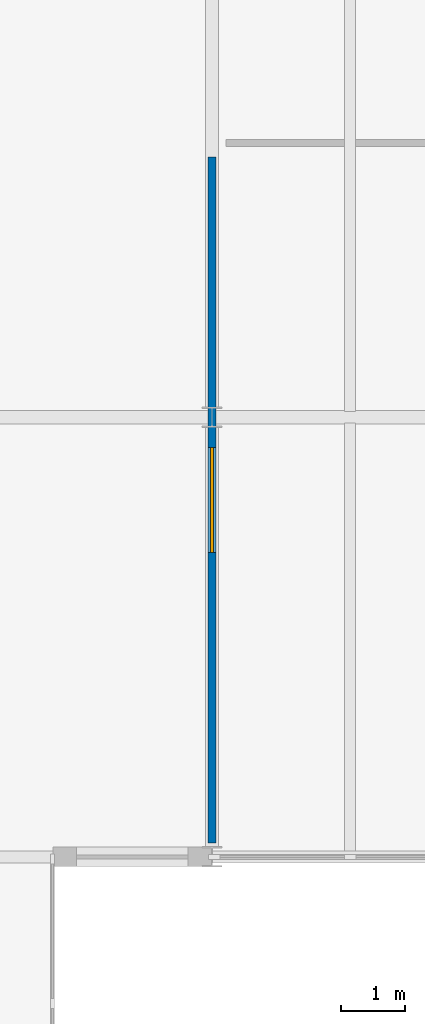
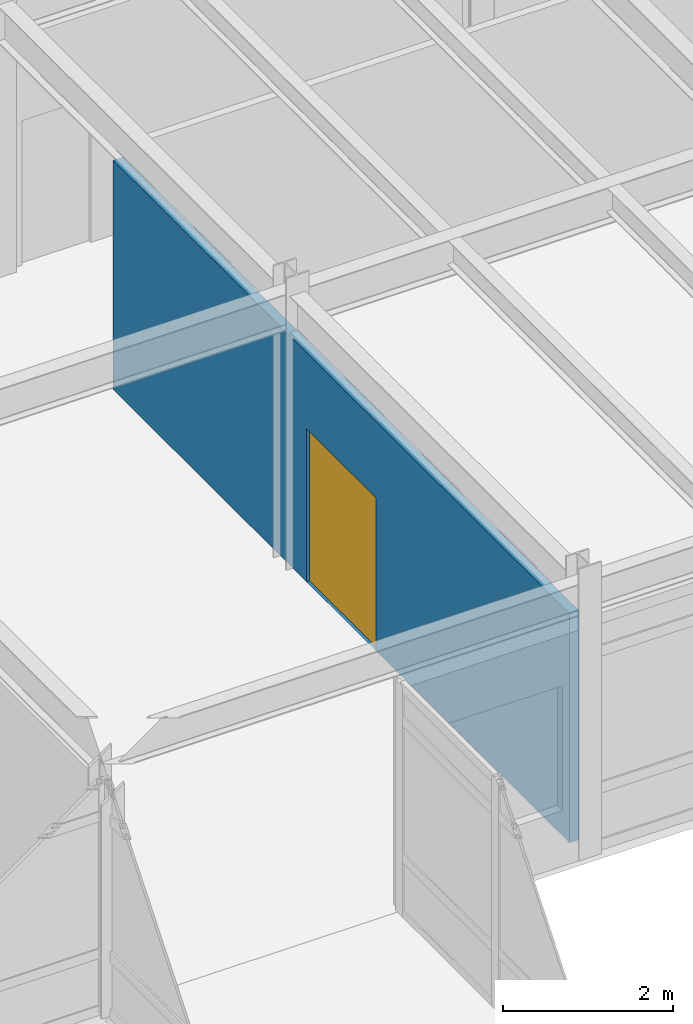
# One storey, part 132 of 144: 1 door, 1 wall, 1 opening.
"""IFC4 building model written with IfcOpenShell, lengths in metres."""

from ifc_helpers import new_model, si_unit, direction, frame, frame_2d, origin, place, context, subcontext, project, spatial, rectangle, extrude, material, layer, layer_set, type_object, element, fill, save


model = new_model("IFC4")

# Units and contexts
model_context = context("Model", 3, precision=1e-05, world=origin(), true_north=direction((0.0, 1.0)))
body_context = subcontext(model_context, "Body", "Model", "MODEL_VIEW")
ifc_project = project(units=[si_unit("LENGTHUNIT", "METRE"), si_unit("AREAUNIT", "SQUARE_METRE"), si_unit("VOLUMEUNIT", "CUBIC_METRE"), si_unit("PLANEANGLEUNIT", "RADIAN"), si_unit("MASSUNIT", "GRAM", prefix="KILO")], contexts=[model_context])

# Site, building, storey
site_placement = place(None, origin())
site = spatial("IfcSite", under=ifc_project, at=site_placement, CompositionType="ELEMENT")
building_placement = place(site_placement, origin())
building = spatial("IfcBuilding", under=site, at=building_placement, Name="Trelmorton Wharf Fire Station", CompositionType="ELEMENT")
storey_placement = place(building_placement, frame((0.0, 0.0, 5.39990234375)))
storey = spatial("IfcBuildingStorey", under=building, at=storey_placement, Name="L01", CompositionType="ELEMENT", Elevation=5.39990234375)

# Wall, opening, door
ifc_material_1 = material(Name="Gypsum plasterboard partition")
ifc_layer = layer(ifc_material_1, 0.1298828125)
ifc_layer_set = layer_set([ifc_layer], Name="Gypsum plasterboard partition")
wall_type = type_object("IfcWallType", Name="IW_PART_130", PredefinedType="PARTITIONING", material=ifc_layer_set)
wall_placement = place(storey_placement, frame((123.5, 60.52001953125, 0.0), z_axis=(0.0, 0.0, 1.0), x_axis=(0.0, 1.0, 0.0)))
wall = element("IfcWall", 1, at=wall_placement, inside=storey, type_object=wall_type, Name="IW-L01-0116", PredefinedType="PARTITIONING", context=body_context, shape_type="SweptSolid", body=[
    extrude(rectangle(XDim=10.760009765625, YDim=0.1298828125, at=frame_2d((5.3798828125, 0.0))), origin(), (0.0, 0.0, 1.0), 3.300048828125),
])
opening_placement = place(wall_placement, frame((4.56005859375, 0.0, 0.0)))
opening = element("IfcOpeningElement", 2, at=opening_placement, cuts=wall, Name="Opening D-078", PredefinedType="OPENING", context=body_context, shape_type="SweptSolid", body=[
    extrude(rectangle(XDim=1.639892578125, YDim=2.199951171875, at=frame_2d((0.81982421875, 1.10009765625))), frame((0.0, 0.074951171875, 0.0), z_axis=(0.0, -1.0, 0.0), x_axis=(1.0, 0.0, 0.0)), (0.0, 0.0, 1.0), 0.14990234375),
])
ifc_material_2 = material(Name="Acoustic timber panelling", Category="wood")
door_type = type_object("IfcDoorType", Name="DR_INT_164", OperationType="DOUBLE_DOOR_SINGLE_SWING", PredefinedType="DOOR", material=ifc_material_2)
door_placement = place(opening_placement, origin())
door = element("IfcDoor", 3, at=door_placement, inside=storey, type_object=door_type, Name="Interior Door D-078", OperationType="DOUBLE_DOOR_SINGLE_SWING", OverallHeight=2.199951171875, OverallWidth=1.639892578125, PredefinedType="DOOR", context=body_context, shape_type="SweptSolid", body=[
    extrude(rectangle(XDim=1.639892578125, YDim=2.199951171875, at=frame_2d((0.81982421875, 1.10009765625))), frame((0.0, 0.02490234375, 0.0), z_axis=(0.0, -1.0, 0.0), x_axis=(1.0, 0.0, 0.0)), (0.0, 0.0, 1.0), 0.050048828125),
])
fill(opening, door)

save(model, "model.ifc")
